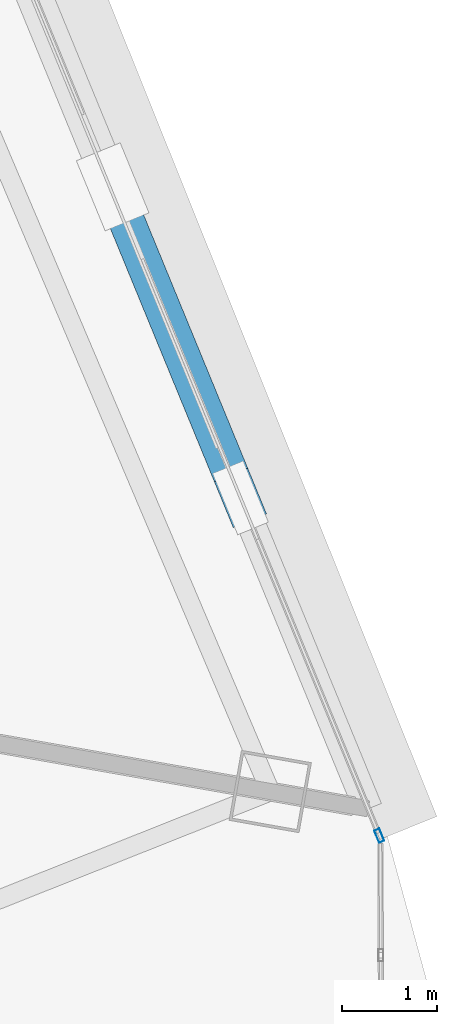
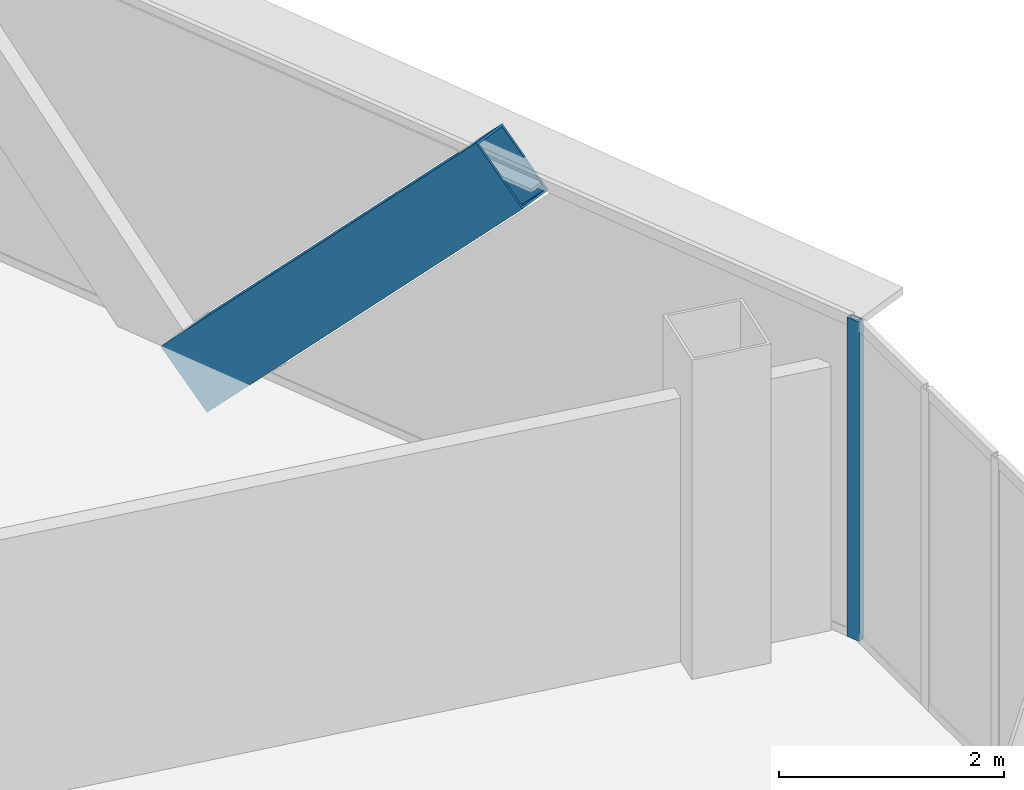
# One storey, part 16 of 33: 2 members, 1 element without a shape of its own.
"""IFC4 building model written with IfcOpenShell, lengths in metres."""

from ifc_helpers import new_model, si_unit, direction, frame, origin, origin_2d, place, context, subcontext, project, spatial, hollow_rectangle, extrude, source, transform, mapped, material, layer, layer_set, material_profile, profile_set, type_object, element, aggregate, save


model = new_model("IFC4")

# Units and contexts
model_context = context("Model", 3, precision=1e-05, world=origin(), true_north=direction((0.0, 1.0)))
body_context = subcontext(model_context, "Body", "Model", "MODEL_VIEW")
ifc_project = project(units=[si_unit("LENGTHUNIT", "METRE"), si_unit("AREAUNIT", "SQUARE_METRE"), si_unit("VOLUMEUNIT", "CUBIC_METRE"), si_unit("PLANEANGLEUNIT", "RADIAN"), si_unit("MASSUNIT", "GRAM", prefix="KILO"), si_unit("THERMODYNAMICTEMPERATUREUNIT", "KELVIN"), si_unit("POWERUNIT", "WATT")], contexts=[model_context])

# Site, building, storey
site_placement = place(None, origin())
site = spatial("IfcSite", under=ifc_project, at=site_placement, CompositionType="ELEMENT")
building_placement = place(site_placement, origin())
building = spatial("IfcBuilding", under=site, at=building_placement, Name="Yunzhuo Pagoda Commons", CompositionType="ELEMENT")
storey_placement = place(building_placement, frame((0.0, 0.0, 311.1298828125)))
storey = spatial("IfcBuildingStorey", under=building, at=storey_placement, Name="L78", CompositionType="ELEMENT", Elevation=311.1298828125)

# Member
ifc_material_1 = material(Name="Structural steel Q355B", Category="steel")
ifc_material_profile_1 = material_profile(ifc_material_1, hollow_rectangle(XDim=0.3798828125, YDim=0.719970703125, WallThickness=0.02001953125, at=origin_2d()), Name="Structural steel Q355B")
ifc_profile_set_1 = profile_set([ifc_material_profile_1], Name="Structural steel Q355B")
member_type_1 = type_object("IfcMemberType", Name="M-DL3 Brace BOX 720x380x20", PredefinedType="BRACE", material=ifc_profile_set_1)
shared_shape_1 = source(origin(), body_context, "Body", "SweptSolid", [
    extrude(hollow_rectangle(XDim=0.3798828125, YDim=0.719970703125, WallThickness=0.02001953125, at=origin_2d()), origin(), (0.0, 0.0, 1.0), 5.148681640625),
])
member_1_placement = place(storey_placement, frame((74.998291015625, 35.02978515625, -0.259765625), z_axis=(0.261979384883, -0.637617518284, 0.724438197691), x_axis=(0.924968440779, 0.380043923202, 0.0)))
element("IfcMember", 1, at=member_1_placement, inside=storey, type_object=member_type_1, Name="L78 facade diamond brace F2.1L", PredefinedType="BRACE", context=body_context, shape_type="MappedRepresentation", body=[
    mapped(shared_shape_1, transform((0.0, 0.0, 0.0), scale=1.0)),
])

# Curtain wall, member
ifc_material_2 = material(Name="Anodized aluminium 6063-T6", Category="aluminium")
ifc_layer = layer(ifc_material_2, 0.139892578125)
ifc_layer_set = layer_set([ifc_layer], Name="Anodized aluminium 6063-T6")
curtain_wall_type = type_object("IfcCurtainWallType", Name="CW-HI High-Zone Ribbon Curtain Wall", PredefinedType="NOTDEFINED", material=ifc_layer_set)
curtain_wall_placement = place(storey_placement, origin())
curtain_wall = element("IfcCurtainWall", 2, at=curtain_wall_placement, inside=storey, type_object=curtain_wall_type, Name="L78 curtain wall CW-L78-F2B2", PredefinedType="NOTDEFINED")
ifc_material_profile_2 = material_profile(ifc_material_2, hollow_rectangle(XDim=0.06005859375, YDim=0.139892578125, WallThickness=0.00341796875, at=origin_2d()), Name="Anodized aluminium 6063-T6")
ifc_profile_set_2 = profile_set([ifc_material_profile_2], Name="Anodized aluminium 6063-T6")
member_type_2 = type_object("IfcMemberType", Name="CW-HI-M Mullion RHS 140x60x3.5", PredefinedType="MULLION", material=ifc_profile_set_2)
shared_shape_2 = source(origin(), body_context, "Body", "SweptSolid", [
    extrude(hollow_rectangle(XDim=0.06005859375, YDim=0.139892578125, WallThickness=0.00341796875, at=origin_2d()), origin(), (0.0, 0.0, 1.0), 3.47021484375),
])
member_2_placement = place(storey_placement, frame((77.812744140625, 28.180419921875, 0.0), z_axis=(0.0, 0.0, 1.0), x_axis=(-0.924975207531, -0.380027453552, 0.0)))
member_2 = element("IfcMember", 3, at=member_2_placement, type_object=member_type_2, Name="CW mullion 1", PredefinedType="MULLION", context=body_context, shape_type="MappedRepresentation", body=[
    mapped(shared_shape_2, transform((0.0, 0.0, 0.0), scale=1.0)),
])
aggregate(curtain_wall, [member_2])

save(model, "model.ifc")
